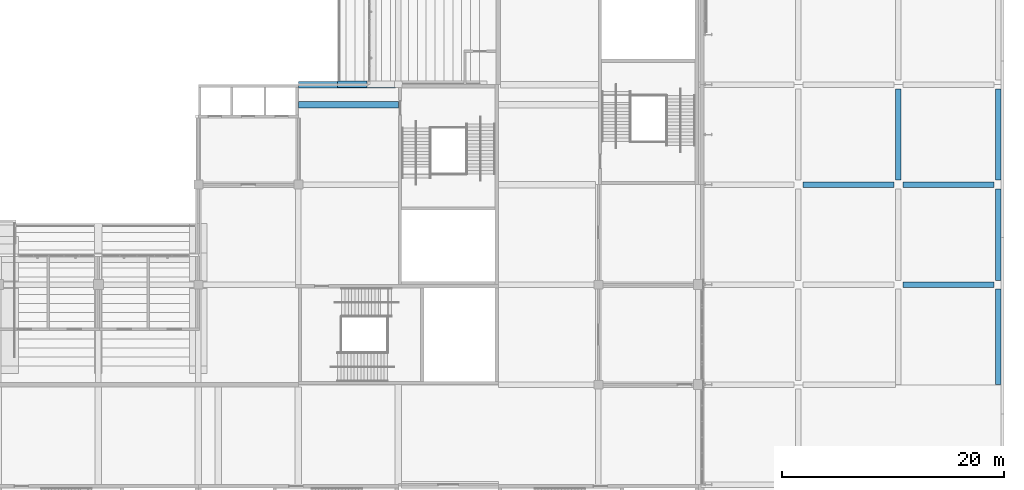
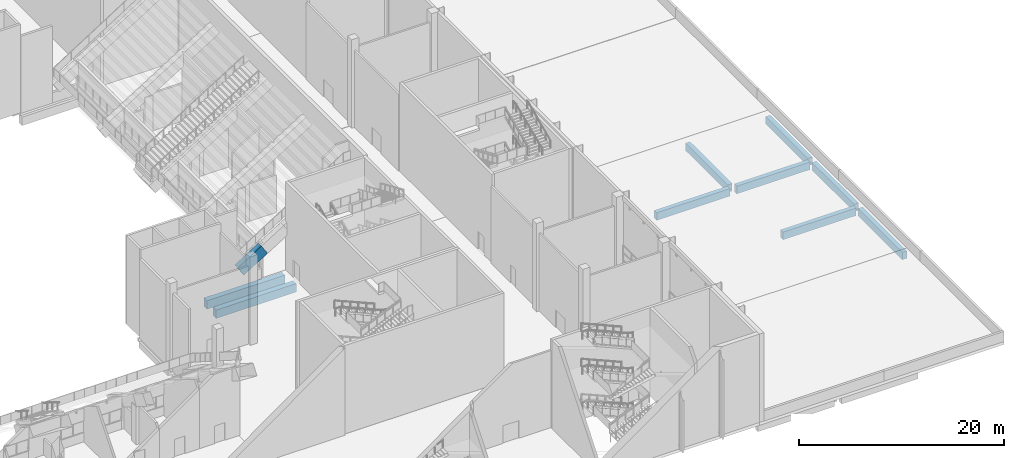
# One storey, part 46 of 182: 10 beams.
"""IFC4 building model written with IfcOpenShell, lengths in metres."""

import ifcopenshell
import ifcopenshell.guid

model = None  # the IFC model being written
_history = None  # IfcOwnerHistory: only IFC2X3 demands one
_inside = {}  # id of a spatial element -> (the spatial element, [elements in it])
_under = {}  # id of a project, library or spatial element -> (it, [spatial elements below it])
_declared = {}  # id of a project -> (the project, [libraries it declares])
_typed = {}  # id of a type object -> (the type object, [elements of that type])
_made_of = {}  # id of a material, layer set ... -> (it, [elements and type objects made of it])


def new_model(schema):
    """Start an empty IFC model of exactly this schema.

    Asked for "IFC4X3", IfcOpenShell would pick the latest addendum, in which some entities
    have other attributes; the version numbers below select the first issue.
    IFC2X3 requires an IfcOwnerHistory on every rooted entity: one is made here for all.
    """
    global model, _history
    if schema == "IFC4X3":
        model = ifcopenshell.file(schema_version=(4, 3, 0, 0))
    else:
        model = ifcopenshell.file(schema=schema)
    _inside.clear()
    _under.clear()
    _declared.clear()
    _typed.clear()
    _made_of.clear()
    _history = None
    if model.schema == "IFC2X3":
        org = make("IfcOrganization", Name="unknown")
        user = make(
            "IfcPersonAndOrganization",
            ThePerson=make("IfcPerson", FamilyName="unknown"),
            TheOrganization=org,
        )
        app = make(
            "IfcApplication",
            ApplicationDeveloper=org,
            Version="unknown",
            ApplicationFullName="unknown",
            ApplicationIdentifier="unknown",
        )
        _history = make(
            "IfcOwnerHistory",
            OwningUser=user,
            OwningApplication=app,
            ChangeAction="ADDED",
            CreationDate=0,
        )
    return model


def make(cls, **values):
    """One entity of the class cls with the attributes given. An attribute that is None is left unset."""
    return model.create_entity(
        cls, **{name: value for name, value in values.items() if value is not None}
    )


def rooted(cls, **values):
    """An entity with a GlobalId (a new one), such as an element, a storey or a relation."""
    return make(cls, GlobalId=ifcopenshell.guid.new(), OwnerHistory=_history, **values)


def si_unit(unit_type, name, prefix=None):
    """IfcSIUnit, for example si_unit("LENGTHUNIT", "METRE", prefix="MILLI")."""
    return make("IfcSIUnit", UnitType=unit_type, Prefix=prefix, Name=name)


def assignment(units):
    """IfcUnitAssignment: the units of a project."""
    return None if units is None else make("IfcUnitAssignment", Units=units)


def point(xyz):
    """IfcCartesianPoint."""
    return None if xyz is None else make("IfcCartesianPoint", Coordinates=xyz)


def direction(xyz):
    """IfcDirection."""
    return None if xyz is None else make("IfcDirection", DirectionRatios=xyz)


def frame(location, z_axis=None, x_axis=None):
    """IfcAxis2Placement3D, a coordinate frame: its origin and axes. An axis left out is left unset."""
    return make(
        "IfcAxis2Placement3D",
        Location=point(location),
        Axis=direction(z_axis),
        RefDirection=direction(x_axis),
    )


def frame_2d(location, x_axis=None):
    """IfcAxis2Placement2D, a coordinate frame in the plane: its origin and x axis."""
    return make(
        "IfcAxis2Placement2D", Location=point(location), RefDirection=direction(x_axis)
    )


def origin():
    """The frame at (0, 0, 0) with its axes left unset."""
    return frame((0.0, 0.0, 0.0))


def origin_2d():
    """The frame at (0, 0) in the plane with its x axis left unset."""
    return frame_2d((0.0, 0.0))


def place(relative_to, where):
    """IfcLocalPlacement: puts the frame where relative to a parent placement (None: the world)."""
    return make(
        "IfcLocalPlacement", PlacementRelTo=relative_to, RelativePlacement=where
    )


def context(
    kind, dimensions, precision=None, world=None, true_north=None, identifier=None
):
    """IfcGeometricRepresentationContext, for example the 3D "Model" context."""
    return make(
        "IfcGeometricRepresentationContext",
        ContextIdentifier=identifier,
        ContextType=kind,
        CoordinateSpaceDimension=dimensions,
        Precision=precision,
        WorldCoordinateSystem=world,
        TrueNorth=true_north,
    )


def subcontext(parent, identifier, kind, view, scale=None):
    """IfcGeometricRepresentationSubContext, for example "Body" below "Model"."""
    return make(
        "IfcGeometricRepresentationSubContext",
        ContextIdentifier=identifier,
        ContextType=kind,
        ParentContext=parent,
        TargetScale=scale,
        TargetView=view,
    )


def project(units=None, contexts=None):
    """IfcProject with its units and contexts."""
    return rooted(
        "IfcProject",
        Name="project",
        RepresentationContexts=contexts,
        UnitsInContext=assignment(units),
    )


def spatial(cls, under=None, at=None, **own):
    """A site, building, storey or space (cls), placed at a placement, below another one or the project."""
    s = rooted(cls, ObjectPlacement=at, **own)
    if under is not None:
        _under.setdefault(under.id(), (under, []))[1].append(s)
    return s


def profile(cls, at=None, kind="AREA", **sizes):
    """A parametric profile (cls). Its sizes go by their IFC names, for example OverallWidth=200.0."""
    return make(cls, ProfileType=kind, Position=at, **sizes)


def rectangle(**sizes):
    """IfcRectangleProfileDef."""
    return profile("IfcRectangleProfileDef", **sizes)


def extrude(swept, where, along, depth):
    """IfcExtrudedAreaSolid: the profile swept, set in the frame where, extruded along a direction by depth."""
    return make(
        "IfcExtrudedAreaSolid",
        SweptArea=swept,
        Position=where,
        ExtrudedDirection=direction(along),
        Depth=depth,
    )


def shape(context_of_items, identifier, shape_type, items):
    """IfcShapeRepresentation: the items that make up one representation, for example the "Body"."""
    return make(
        "IfcShapeRepresentation",
        ContextOfItems=context_of_items,
        RepresentationIdentifier=identifier,
        RepresentationType=shape_type,
        Items=items,
    )


def material(Name=None, Category=None):
    """IfcMaterial."""
    return make("IfcMaterial", Name=Name, Category=Category)


def material_profile(
    of_material, cross_section, Name=None, Category=None, Priority=None
):
    """IfcMaterialProfile: a cross section and its material."""
    return make(
        "IfcMaterialProfile",
        Name=Name,
        Material=of_material,
        Profile=cross_section,
        Priority=Priority,
        Category=Category,
    )


def profile_set(profiles, Name=None, composite=None):
    """IfcMaterialProfileSet."""
    return make(
        "IfcMaterialProfileSet",
        Name=Name,
        MaterialProfiles=profiles,
        CompositeProfile=composite,
    )


def made_of(thing, what):
    """Note that an element or type object is made of a material, layer set ...; save() writes the relation."""
    if what is not None:
        _made_of.setdefault(what.id(), (what, []))[1].append(thing)
    return thing


def type_object(cls, material=None, **own):
    """A type object (cls), such as IfcWallType, which elements share."""
    return made_of(rooted(cls, **own), material)


def element(
    cls,
    number,
    at=None,
    inside=None,
    cuts=None,
    type_object=None,
    material=None,
    context=None,
    identifier="Body",
    shape_type=None,
    held_by="IfcProductDefinitionShape",
    body=None,
    shapes=None,
    **own,
):
    """One element of the class cls, such as IfcWall. Its Tag is "e" and its number.

    at: its placement. inside: the storey or other place that contains it. cuts: it is an
    opening in that element (IfcRelVoidsElement). A single representation is given by context,
    identifier, shape_type and body (its items); several are given by shapes. held_by: the class
    of the entity that holds the representations. save() writes the other relations.
    """
    e = rooted(cls, Tag="e%d" % number, ObjectPlacement=at, **own)
    if body is not None:
        shapes = [shape(context, identifier, shape_type, body)]
    if shapes is not None:
        e.Representation = make(held_by, Representations=shapes)
    if inside is not None:
        _inside.setdefault(inside.id(), (inside, []))[1].append(e)
    if cuts is not None:
        rooted(
            "IfcRelVoidsElement", RelatingBuildingElement=cuts, RelatedOpeningElement=e
        )
    if type_object is not None:
        _typed.setdefault(type_object.id(), (type_object, []))[1].append(e)
    return made_of(e, material)


def aggregate(whole, parts):
    """IfcRelAggregates: a whole, such as a stair, and the parts it consists of."""
    return rooted("IfcRelAggregates", RelatingObject=whole, RelatedObjects=parts)


def save(model, path):
    """Write the relations noted so far, then the file.

    IfcRelAggregates (storeys below a building ...), IfcRelContainedInSpatialStructure (elements
    in a storey), IfcRelDefinesByType, IfcRelAssociatesMaterial and IfcRelDeclares: one each for
    every whole, place, type object, material and project.
    """
    for whole, parts in _under.values():
        aggregate(whole, parts)
    for where, things in _inside.values():
        rooted(
            "IfcRelContainedInSpatialStructure",
            RelatedElements=things,
            RelatingStructure=where,
        )
    for kind, things in _typed.values():
        rooted("IfcRelDefinesByType", RelatedObjects=things, RelatingType=kind)
    for what, things in _made_of.values():
        rooted("IfcRelAssociatesMaterial", RelatedObjects=things, RelatingMaterial=what)
    for by, libraries in _declared.values():
        rooted("IfcRelDeclares", RelatingContext=by, RelatedDefinitions=libraries)
    model.write(path)


model = new_model("IFC4")

# Units and contexts
model_context = context("Model", 3, precision=1e-05, world=origin(), true_north=direction((0.0, 1.0)))
body_context = subcontext(model_context, "Body", "Model", "MODEL_VIEW")
ifc_project = project(units=[si_unit("LENGTHUNIT", "METRE"), si_unit("AREAUNIT", "SQUARE_METRE"), si_unit("VOLUMEUNIT", "CUBIC_METRE"), si_unit("PLANEANGLEUNIT", "RADIAN"), si_unit("MASSUNIT", "GRAM", prefix="KILO")], contexts=[model_context])

# Site, building, storey
site_placement = place(None, origin())
site = spatial("IfcSite", under=ifc_project, at=site_placement, CompositionType="ELEMENT")
building_placement = place(site_placement, origin())
building = spatial("IfcBuilding", under=site, at=building_placement, Name="Silverbay Arena", CompositionType="ELEMENT")
storey_placement = place(building_placement, frame((0.0, 0.0, 11.5)))
storey = spatial("IfcBuildingStorey", under=building, at=storey_placement, Name="L02", CompositionType="ELEMENT", Elevation=11.5)

# Beams
ifc_material_1 = material(Name="Concrete Grade C45", Category="concrete")
ifc_material_profile_1 = material_profile(ifc_material_1, rectangle(XDim=0.5, YDim=0.89990234375, at=origin_2d()), Name="RC 500x900")
ifc_profile_set_1 = profile_set([ifc_material_profile_1], Name="Concrete Grade C45")
beam_type_1 = type_object("IfcBeamType", Name="RC beam 500x900", PredefinedType="BEAM", material=ifc_profile_set_1)
for number, where, z_axis, x_axis, name in (
    (1, (225.39990234375, 45.0, -0.800048828125), (1.0, 0.0, 0.0), (0.0, 1.0, 0.0), "Floor beam L02 045"),
    (2, (216.39990234375, 54.0, -0.800048828125), (1.0, 0.0, 0.0), (0.0, 1.0, 0.0), "Floor beam L02 056"),
    (3, (225.39990234375, 54.0, -0.800048828125), (1.0, 0.0, 0.0), (0.0, 1.0, 0.0), "Floor beam L02 057"),
    (4, (225.0, 54.39990234375, -0.800048828125), (0.0, 1.0, 0.0), (-1.0, 0.0, 0.0), "Floor beam L02 347"),
):
    element("IfcBeam", number, at=place(storey_placement, frame(where, z_axis=z_axis, x_axis=x_axis)), inside=storey, type_object=beam_type_1, Name=name, PredefinedType="BEAM", context=body_context, shape_type="SweptSolid", body=[
        extrude(rectangle(XDim=0.5, YDim=0.89990234375, at=origin_2d()), origin(), (0.0, 0.0, 1.0), 8.2001953125),
    ])
beam_1_placement = place(storey_placement, frame((234.0, 36.0, -0.800048828125), z_axis=(0.0, 1.0, 0.0), x_axis=(-1.0, 0.0, 0.0)))
element("IfcBeam", 5, at=beam_1_placement, inside=storey, type_object=beam_type_1, Name="Floor beam L02 355", PredefinedType="BEAM", context=body_context, shape_type="SweptSolid", body=[
    extrude(rectangle(XDim=0.5, YDim=0.89990234375, at=origin_2d()), origin(), (0.0, 0.0, 1.0), 8.60009765625),
])
for number, where, z_axis, x_axis, name in (
    (6, (234.0, 45.39990234375, -0.800048828125), (0.0, 1.0, 0.0), (-1.0, 0.0, 0.0), "Floor beam L02 356"),
    (7, (234.0, 54.39990234375, -0.800048828125), (0.0, 1.0, 0.0), (-1.0, 0.0, 0.0), "Floor beam L02 357"),
):
    element("IfcBeam", number, at=place(storey_placement, frame(where, z_axis=z_axis, x_axis=x_axis)), inside=storey, type_object=beam_type_1, Name=name, PredefinedType="BEAM", context=body_context, shape_type="SweptSolid", body=[
        extrude(rectangle(XDim=0.5, YDim=0.89990234375, at=origin_2d()), origin(), (0.0, 0.0, 1.0), 8.2001953125),
    ])
ifc_material_2 = material(Name="Concrete Grade C45", Category="concrete")
ifc_material_profile_2 = material_profile(ifc_material_2, rectangle(XDim=0.60009765625, YDim=1.0, at=origin_2d()), Name="RC 600x1000")
ifc_profile_set_2 = profile_set([ifc_material_profile_2], Name="Concrete Grade C45")
beam_type_2 = type_object("IfcBeamType", Name="RC beam 600x1000", PredefinedType="BEAM", material=ifc_profile_set_2)
beam_2_placement = place(storey_placement, frame((171.0, 61.199951171875, -0.85009765625), z_axis=(1.0, 0.0, 0.0), x_axis=(0.0, 1.0, 0.0)))
element("IfcBeam", 8, at=beam_2_placement, inside=storey, type_object=beam_type_2, Name="Floor beam L02 060", PredefinedType="BEAM", context=body_context, shape_type="SweptSolid", body=[
    extrude(rectangle(XDim=0.60009765625, YDim=1.0, at=origin_2d()), origin(), (0.0, 0.0, 1.0), 9.0),
])
beam_3_placement = place(storey_placement, frame((171.0, 63.0, -0.85009765625), z_axis=(1.0, 0.0, 0.0), x_axis=(0.0, 1.0, 0.0)))
element("IfcBeam", 9, at=beam_3_placement, inside=storey, type_object=beam_type_2, Name="Floor beam L02 067", PredefinedType="BEAM", context=body_context, shape_type="SweptSolid", body=[
    extrude(rectangle(XDim=0.60009765625, YDim=1.0, at=origin_2d()), origin(), (0.0, 0.0, 1.0), 8.75),
])
ifc_material_3 = material(Name="Concrete Grade C45", Category="concrete")
ifc_material_profile_3 = material_profile(ifc_material_3, rectangle(XDim=0.60009765625, YDim=1.300048828125, at=origin_2d()), Name="RC 600x1300")
ifc_profile_set_3 = profile_set([ifc_material_profile_3], Name="Concrete Grade C45")
beam_type_3 = type_object("IfcBeamType", Name="RC cantilever raker 600x1300", PredefinedType="BEAM", material=ifc_profile_set_3)
beam_4_placement = place(storey_placement, frame((174.844482421875, 63.050048828125, 1.768798828125), z_axis=(0.848002683915, 0.0, 0.529991932082), x_axis=(0.0, 1.0, 0.0)))
element("IfcBeam", 10, at=beam_4_placement, inside=storey, type_object=beam_type_3, Name="Raker East upper 63 tip", PredefinedType="BEAM", context=body_context, shape_type="SweptSolid", body=[
    extrude(rectangle(XDim=0.60009765625, YDim=1.300048828125, at=origin_2d()), origin(), (0.0, 0.0, 1.0), 3.131591796875),
])

save(model, "model.ifc")
